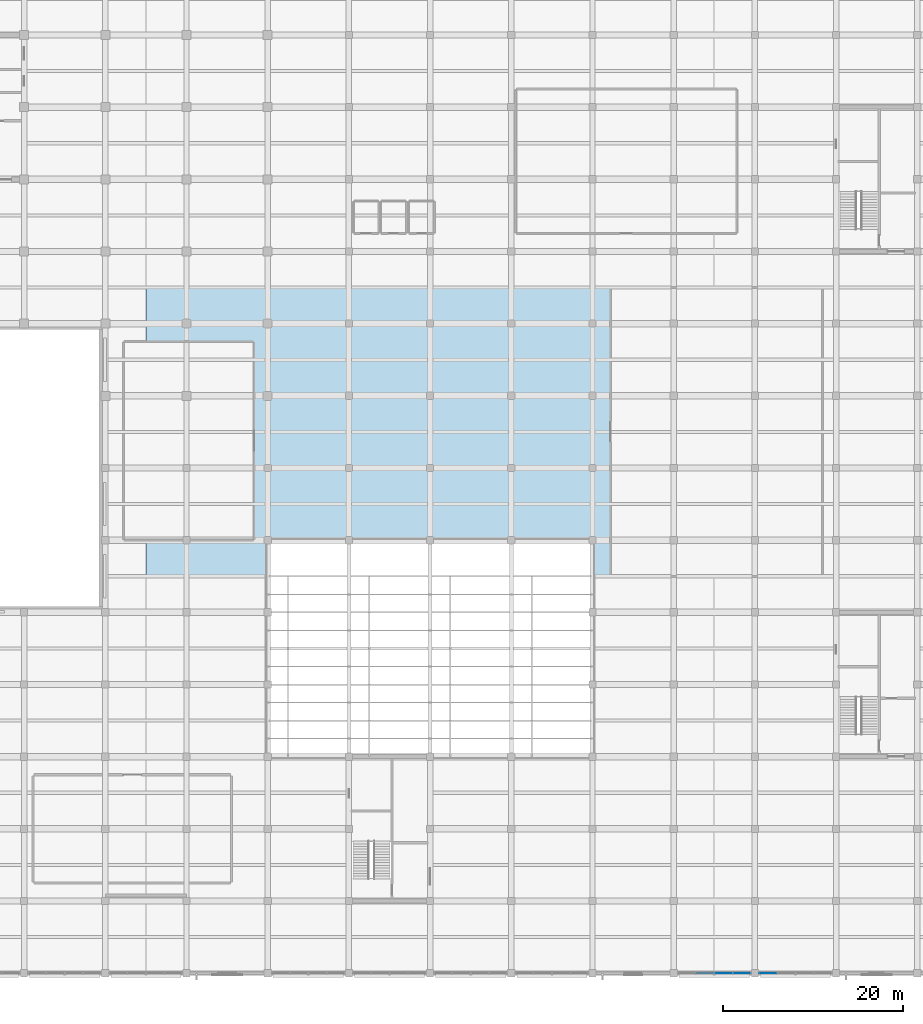
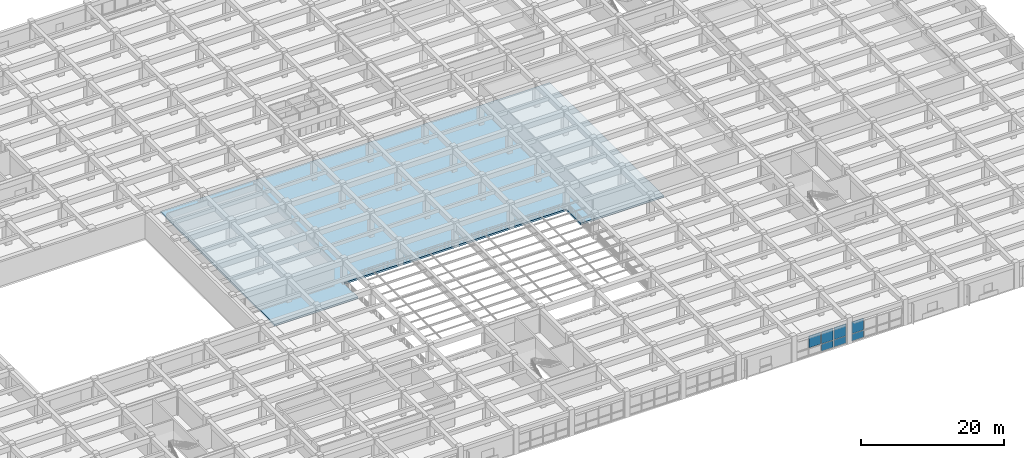
# One storey, part 22 of 50: 7 plates, 1 slab, 2 elements without a shape of their own.
"""IFC4 building model written with IfcOpenShell, lengths in metres."""

from ifc_helpers import new_model, si_unit, direction, frame, frame_2d, origin, place, context, subcontext, project, spatial, polyline, rectangle, outline, extrude, material, layer, layer_set, type_object, element, aggregate, save


model = new_model("IFC4")

# Units and contexts
model_context = context("Model", 3, precision=1e-05, world=origin(), true_north=direction((0.0, 1.0)))
body_context = subcontext(model_context, "Body", "Model", "MODEL_VIEW")
ifc_project = project(units=[si_unit("LENGTHUNIT", "METRE"), si_unit("AREAUNIT", "SQUARE_METRE"), si_unit("VOLUMEUNIT", "CUBIC_METRE"), si_unit("PLANEANGLEUNIT", "RADIAN"), si_unit("MASSUNIT", "GRAM", prefix="KILO")], contexts=[model_context])

# Site, building, storey
site_placement = place(None, origin())
site = spatial("IfcSite", under=ifc_project, at=site_placement, CompositionType="ELEMENT")
building_placement = place(site_placement, origin())
building = spatial("IfcBuilding", under=site, at=building_placement, Name="Zaverband Oceanarium and Marine Research Institute", CompositionType="ELEMENT")
storey_placement = place(building_placement, frame((0.0, 0.0, 9.0)))
storey = spatial("IfcBuildingStorey", under=building, at=storey_placement, Name="L02", CompositionType="ELEMENT", Elevation=9.0)

# Curtain wall, plates
ifc_material_1 = material(Name="Thermally broken anodized aluminium and solar-control glass", Category="aluminium")
curtain_wall_type = type_object("IfcCurtainWallType", Name="CW-UNIT-1800", PredefinedType="NOTDEFINED", material=ifc_material_1)
curtain_wall_1_placement = place(storey_placement, origin())
curtain_wall_1 = element("IfcCurtainWall", 1, at=curtain_wall_1_placement, inside=storey, type_object=curtain_wall_type, Name="Unitised glazed curtain wall CW-044", PredefinedType="NOTDEFINED")
ifc_material_2 = material(Name="Low-E double-glazed solar-control glass", Category="glass")
ifc_layer_1 = layer(ifc_material_2, 0.033935546875, Name="Low-E double-glazed solar-control glass")
ifc_layer_set_1 = layer_set([ifc_layer_1], Name="Low-E double-glazed solar-control glass")
plate_type_1 = type_object("IfcPlateType", Name="CWP-1765x1197", PredefinedType="CURTAIN_PANEL", material=ifc_layer_set_1)
plate_1_placement = place(storey_placement, frame((121.580078125, 0.0, 0.050048828125), z_axis=(0.0, 0.0, 1.0), x_axis=(1.0, 0.0, 0.0)))
plate_1 = element("IfcPlate", 2, at=plate_1_placement, type_object=plate_type_1, Name="Glazed curtain wall panel CWP-1765x1197", PredefinedType="CURTAIN_PANEL", context=body_context, shape_type="SweptSolid", body=[
    extrude(rectangle(XDim=1.887451171875, YDim=0.033935546875, at=frame_2d((0.94384765625, 0.0))), origin(), (0.0, 0.0, 1.0), 1.197021484375),
])
plate_2_placement = place(storey_placement, frame((123.62744140625, 0.0, 0.050048828125), z_axis=(0.0, 0.0, 1.0), x_axis=(1.0, 0.0, 0.0)))
plate_2 = element("IfcPlate", 3, at=plate_2_placement, type_object=plate_type_1, Name="Glazed curtain wall panel CWP-1765x1197", PredefinedType="CURTAIN_PANEL", context=body_context, shape_type="SweptSolid", body=[
    extrude(rectangle(XDim=1.887451171875, YDim=0.033935546875, at=frame_2d((0.94384765625, 0.0))), origin(), (0.0, 0.0, 1.0), 1.197021484375),
])

# Curtain wall, plate
curtain_wall_2_placement = place(storey_placement, origin())
curtain_wall_2 = element("IfcCurtainWall", 4, at=curtain_wall_2_placement, inside=storey, type_object=curtain_wall_type, Name="Unitised glazed curtain wall CW-045", PredefinedType="NOTDEFINED")
plate_3_placement = place(storey_placement, frame((126.485107421875, 0.0, 0.050048828125), z_axis=(0.0, 0.0, 1.0), x_axis=(1.0, 0.0, 0.0)))
plate_3 = element("IfcPlate", 5, at=plate_3_placement, type_object=plate_type_1, Name="Glazed curtain wall panel CWP-1765x1197", PredefinedType="CURTAIN_PANEL", context=body_context, shape_type="SweptSolid", body=[
    extrude(rectangle(XDim=1.887451171875, YDim=0.033935546875, at=frame_2d((0.94384765625, 0.0))), origin(), (0.0, 0.0, 1.0), 1.197021484375),
])

# Plate
ifc_layer_2 = layer(ifc_material_2, 0.035888671875, Name="Low-E double-glazed solar-control glass")
ifc_layer_set_2 = layer_set([ifc_layer_2], Name="Low-E double-glazed solar-control glass")
plate_type_2 = type_object("IfcPlateType", Name="CWP-1765x2063", PredefinedType="CURTAIN_PANEL", material=ifc_layer_set_2)
plate_4_placement = place(storey_placement, frame((119.532470703125, 0.0, 1.31689453125), z_axis=(0.0, 0.0, 1.0), x_axis=(1.0, 0.0, 0.0)))
plate_4 = element("IfcPlate", 6, at=plate_4_placement, type_object=plate_type_2, Name="Glazed curtain wall panel CWP-1765x2063", PredefinedType="CURTAIN_PANEL", context=body_context, shape_type="SweptSolid", body=[
    extrude(rectangle(XDim=1.887451171875, YDim=0.035888671875, at=frame_2d((0.94384765625, 0.0))), origin(), (0.0, 0.0, 1.0), 2.06298828125),
])

plate_5_placement = place(storey_placement, frame((121.580078125, 0.0, 1.31689453125), z_axis=(0.0, 0.0, 1.0), x_axis=(1.0, 0.0, 0.0)))
plate_5 = element("IfcPlate", 7, at=plate_5_placement, type_object=plate_type_2, Name="Glazed curtain wall panel CWP-1765x2063", PredefinedType="CURTAIN_PANEL", context=body_context, shape_type="SweptSolid", body=[
    extrude(rectangle(XDim=1.887451171875, YDim=0.035888671875, at=frame_2d((0.94384765625, 0.0))), origin(), (0.0, 0.0, 1.0), 2.06298828125),
])

plate_6_placement = place(storey_placement, frame((123.62744140625, 0.0, 1.31689453125), z_axis=(0.0, 0.0, 1.0), x_axis=(1.0, 0.0, 0.0)))
plate_6 = element("IfcPlate", 8, at=plate_6_placement, type_object=plate_type_2, Name="Glazed curtain wall panel CWP-1765x2063", PredefinedType="CURTAIN_PANEL", context=body_context, shape_type="SweptSolid", body=[
    extrude(rectangle(XDim=1.887451171875, YDim=0.035888671875, at=frame_2d((0.94384765625, 0.0))), origin(), (0.0, 0.0, 1.0), 2.06298828125),
])

aggregate(curtain_wall_1, [plate_4, plate_1, plate_5, plate_2, plate_6])

plate_7_placement = place(storey_placement, frame((126.485107421875, 0.0, 1.31689453125), z_axis=(0.0, 0.0, 1.0), x_axis=(1.0, 0.0, 0.0)))
plate_7 = element("IfcPlate", 9, at=plate_7_placement, type_object=plate_type_2, Name="Glazed curtain wall panel CWP-1765x2063", PredefinedType="CURTAIN_PANEL", context=body_context, shape_type="SweptSolid", body=[
    extrude(rectangle(XDim=1.887451171875, YDim=0.035888671875, at=frame_2d((0.94384765625, 0.0))), origin(), (0.0, 0.0, 1.0), 2.06298828125),
])

aggregate(curtain_wall_2, [plate_3, plate_7])

# Slab
ifc_material_3 = material(Name="Concrete C40/50", Category="concrete")
ifc_layer_3 = layer(ifc_material_3, 0.320068359375, Name="Concrete C40/50")
ifc_layer_set_3 = layer_set([ifc_layer_3], Name="Concrete C40/50")
slab_type = type_object("IfcSlabType", Name="SLB-GAL-320", PredefinedType="FLOOR", material=ifc_layer_set_3)
slab_placement = place(storey_placement, frame((0.0, 0.0, -0.320068359375)))
element("IfcSlab", 10, at=slab_placement, inside=storey, type_object=slab_type, Name="Suspended floor slab SLB-GAL-320", PredefinedType="FLOOR", context=body_context, shape_type="SweptSolid", body=[
    extrude(outline(polyline([(58.514892578125, 44.014892578125), (58.514892578125, 75.985107421875), (121.485107421875, 75.985107421875), (121.485107421875, 44.014892578125), (108.0, 44.014892578125), (108.0, 48.0), (72.0, 48.0), (72.0, 44.014892578125), (58.514892578125, 44.014892578125)])), origin(), (0.0, 0.0, 1.0), 0.320068359375),
])

save(model, "model.ifc")
